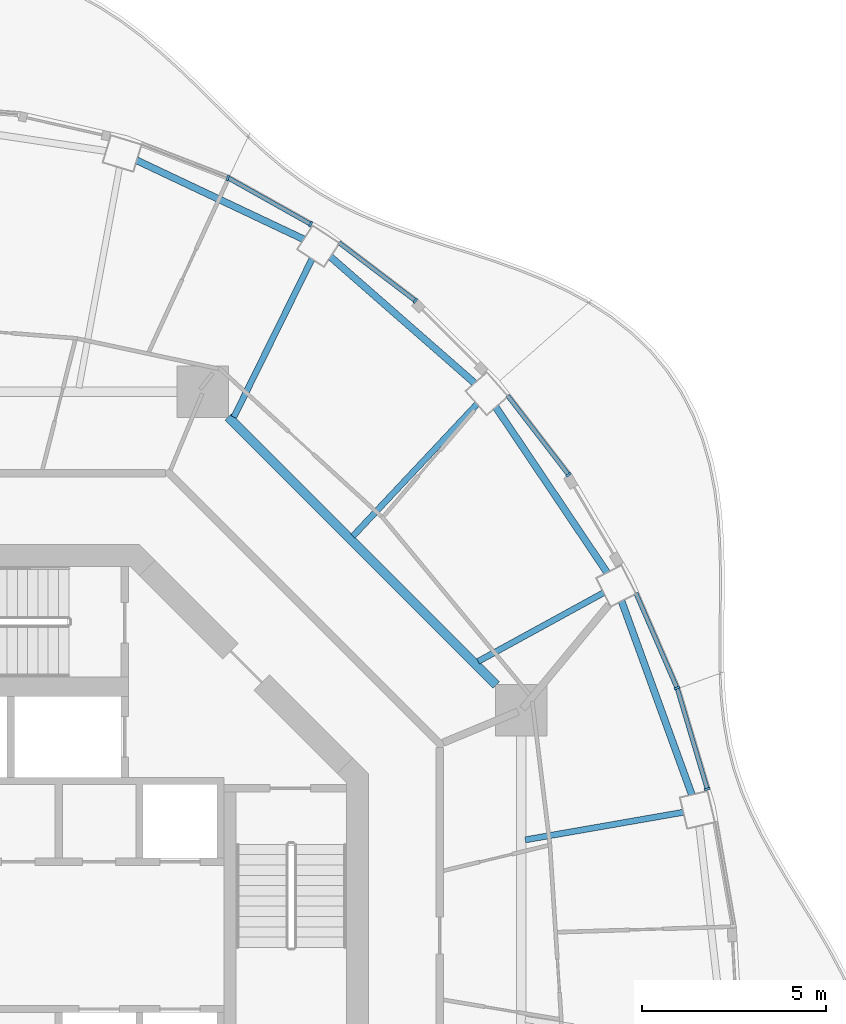
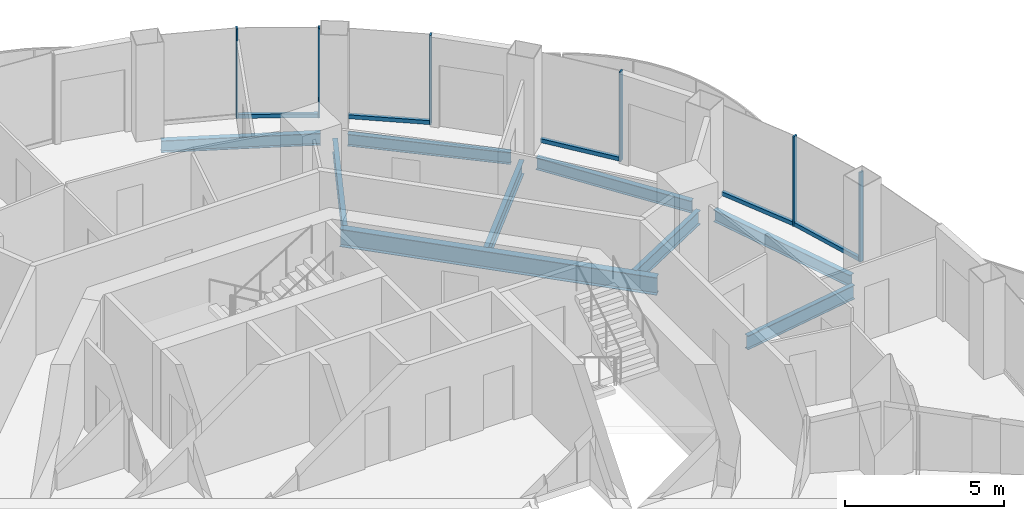
# One storey, part 7 of 17: 11 members, 9 beams, 6 elements without a shape of their own.
"""IFC4 building model written with IfcOpenShell, lengths in metres."""

from ifc_helpers import new_model, si_unit, direction, frame, origin, origin_2d, place, context, subcontext, project, spatial, rectangle, i_section, extrude, material, layer, layer_set, material_profile, profile_set, type_object, element, aggregate, save


model = new_model("IFC4")

# Units and contexts
model_context = context("Model", 3, precision=1e-05, world=origin(), true_north=direction((0.0, 1.0)))
body_context = subcontext(model_context, "Body", "Model", "MODEL_VIEW")
ifc_project = project(units=[si_unit("LENGTHUNIT", "METRE"), si_unit("AREAUNIT", "SQUARE_METRE"), si_unit("VOLUMEUNIT", "CUBIC_METRE"), si_unit("PLANEANGLEUNIT", "RADIAN"), si_unit("MASSUNIT", "GRAM", prefix="KILO")], contexts=[model_context])

# Site, building, storey
site_placement = place(None, origin())
site = spatial("IfcSite", under=ifc_project, at=site_placement, CompositionType="ELEMENT")
building_placement = place(site_placement, origin())
building = spatial("IfcBuilding", under=site, at=building_placement, Name="Nagisa Residences", CompositionType="ELEMENT")
storey_placement = place(building_placement, frame((0.0, 0.0, 273.300048828125)))
storey = spatial("IfcBuildingStorey", under=building, at=storey_placement, Name="L69", CompositionType="ELEMENT", Elevation=273.300048828125)

# Curtain wall, member
ifc_material_1 = material(Name="Concrete-coloured aluminium curtain wall system", Category="concrete")
ifc_layer = layer(ifc_material_1, 0.159912109375)
ifc_layer_set = layer_set([ifc_layer], Name="CW1 CURTAIN WALL")
curtain_wall_type = type_object("IfcCurtainWallType", Name="CW1 CURTAIN WALL", PredefinedType="NOTDEFINED", material=ifc_layer_set)
curtain_wall_1_placement = place(storey_placement, origin())
curtain_wall_1 = element("IfcCurtainWall", 1, at=curtain_wall_1_placement, inside=storey, type_object=curtain_wall_type, Name="cw:CW1:L69:02", PredefinedType="NOTDEFINED")
ifc_material_2 = material(Name="Concrete-coloured aluminium", Category="concrete")
ifc_material_profile_1 = material_profile(ifc_material_2, rectangle(XDim=0.159912109375, YDim=0.06005859375, at=origin_2d()), Name="CW1 MULLION 160x60")
ifc_profile_set_1 = profile_set([ifc_material_profile_1], Name="Concrete-coloured aluminium")
member_type_1 = type_object("IfcMemberType", Name="CW1 MULLION 160x60", PredefinedType="MULLION", material=ifc_profile_set_1)
member_1_placement = place(storey_placement, frame((19.83544921875, 3.9814453125, 0.0), z_axis=(0.0, 0.0, 1.0), x_axis=(-0.958271310082, -0.285860274038, 0.0)))
member_1 = element("IfcMember", 2, at=member_1_placement, type_object=member_type_1, Name="CW1 mullion", PredefinedType="MULLION", context=body_context, shape_type="SweptSolid", body=[
    extrude(rectangle(XDim=0.159912109375, YDim=0.06005859375, at=origin_2d()), origin(), (0.0, 0.0, 1.0), 3.43994140625),
])

curtain_wall_2_placement = place(storey_placement, origin())
curtain_wall_2 = element("IfcCurtainWall", 3, at=curtain_wall_2_placement, inside=storey, type_object=curtain_wall_type, Name="cw:CW1:L69:03", PredefinedType="NOTDEFINED")
member_2_placement = place(storey_placement, frame((19.012939453125, 6.728271484375, 0.0), z_axis=(0.0, 0.0, 1.0), x_axis=(-0.917543276295, -0.397635934147, 0.0)))
member_2 = element("IfcMember", 4, at=member_2_placement, type_object=member_type_1, Name="CW1 mullion", PredefinedType="MULLION", context=body_context, shape_type="SweptSolid", body=[
    extrude(rectangle(XDim=0.159912109375, YDim=0.06005859375, at=origin_2d()), origin(), (0.0, 0.0, 1.0), 3.43994140625),
])

curtain_wall_3_placement = place(storey_placement, origin())
curtain_wall_3 = element("IfcCurtainWall", 5, at=curtain_wall_3_placement, inside=storey, type_object=curtain_wall_type, Name="cw:CW1:L69:05", PredefinedType="NOTDEFINED")
member_3_placement = place(storey_placement, frame((16.06396484375, 12.52685546875, 0.0), z_axis=(0.0, 0.0, 1.0), x_axis=(-0.792070340816, -0.610429828235, 0.0)))
member_3 = element("IfcMember", 6, at=member_3_placement, type_object=member_type_1, Name="CW1 mullion", PredefinedType="MULLION", context=body_context, shape_type="SweptSolid", body=[
    extrude(rectangle(XDim=0.159912109375, YDim=0.06005859375, at=origin_2d()), origin(), (0.0, 0.0, 1.0), 3.43994140625),
])

curtain_wall_4_placement = place(storey_placement, origin())
curtain_wall_4 = element("IfcCurtainWall", 7, at=curtain_wall_4_placement, inside=storey, type_object=curtain_wall_type, Name="cw:CW1:L69:07", PredefinedType="NOTDEFINED")
member_4_placement = place(storey_placement, frame((11.89794921875, 17.2578125, 0.0), z_axis=(0.0, 0.0, 1.0), x_axis=(-0.605255421737, -0.79603132756, 0.0)))
member_4 = element("IfcMember", 8, at=member_4_placement, type_object=member_type_1, Name="CW1 mullion", PredefinedType="MULLION", context=body_context, shape_type="SweptSolid", body=[
    extrude(rectangle(XDim=0.159912109375, YDim=0.06005859375, at=origin_2d()), origin(), (0.0, 0.0, 1.0), 3.43994140625),
])

curtain_wall_5_placement = place(storey_placement, origin())
curtain_wall_5 = element("IfcCurtainWall", 9, at=curtain_wall_5_placement, inside=storey, type_object=curtain_wall_type, Name="cw:CW1:L69:08", PredefinedType="NOTDEFINED")
member_5_placement = place(storey_placement, frame((9.05224609375, 19.3388671875, 0.0), z_axis=(0.0, 0.0, 1.0), x_axis=(-0.489376918501, -0.872072377523, 0.0)))
member_5 = element("IfcMember", 10, at=member_5_placement, type_object=member_type_1, Name="CW1 mullion", PredefinedType="MULLION", context=body_context, shape_type="SweptSolid", body=[
    extrude(rectangle(XDim=0.159912109375, YDim=0.06005859375, at=origin_2d()), origin(), (0.0, 0.0, 1.0), 3.43994140625),
])

curtain_wall_6_placement = place(storey_placement, origin())
curtain_wall_6 = element("IfcCurtainWall", 11, at=curtain_wall_6_placement, inside=storey, type_object=curtain_wall_type, Name="cw:CW1:L69:09", PredefinedType="NOTDEFINED")
member_6_placement = place(storey_placement, frame((6.799560546875, 20.59912109375, 0.0), z_axis=(0.0, 0.0, 1.0), x_axis=(-0.360327770268, -0.932825759707, 0.0)))
member_6 = element("IfcMember", 12, at=member_6_placement, type_object=member_type_1, Name="CW1 mullion", PredefinedType="MULLION", context=body_context, shape_type="SweptSolid", body=[
    extrude(rectangle(XDim=0.159912109375, YDim=0.06005859375, at=origin_2d()), origin(), (0.0, 0.0, 1.0), 3.43994140625),
])
aggregate(curtain_wall_6, [member_6])

# Member
ifc_material_3 = material(Name="Concrete-coloured aluminium", Category="concrete")
ifc_material_profile_2 = material_profile(ifc_material_3, rectangle(XDim=0.1201171875, YDim=0.14990234375, at=origin_2d()), Name="CW1 TRANSOM 120x150")
ifc_profile_set_2 = profile_set([ifc_material_profile_2], Name="Concrete-coloured aluminium")
member_type_2 = type_object("IfcMemberType", Name="CW1 TRANSOM 120x150", PredefinedType="USERDEFINED", material=ifc_profile_set_2)
member_7_placement = place(storey_placement, frame((19.843994140625, 3.95263671875, 0.074951171875), z_axis=(-0.285876209024, 0.9582665564, 0.0), x_axis=(-0.9582665564, -0.285876209024, 0.0)))
member_7 = element("IfcMember", 13, at=member_7_placement, type_object=member_type_2, Name="CW1 transom", ObjectType="TRANSOM", PredefinedType="USERDEFINED", context=body_context, shape_type="SweptSolid", body=[
    extrude(rectangle(XDim=0.1201171875, YDim=0.14990234375, at=origin_2d()), origin(), (0.0, 0.0, 1.0), 2.877197265625),
])

aggregate(curtain_wall_1, [member_1, member_7])

member_8_placement = place(storey_placement, frame((19.024658203125, 6.70068359375, 0.074951171875), z_axis=(-0.397597791596, 0.9175598052, 0.0), x_axis=(-0.9175598052, -0.397597791596, 0.0)))
member_8 = element("IfcMember", 14, at=member_8_placement, type_object=member_type_2, Name="CW1 transom", ObjectType="TRANSOM", PredefinedType="USERDEFINED", context=body_context, shape_type="SweptSolid", body=[
    extrude(rectangle(XDim=0.1201171875, YDim=0.14990234375, at=origin_2d()), origin(), (0.0, 0.0, 1.0), 2.841064453125),
])

aggregate(curtain_wall_2, [member_2, member_8])

member_9_placement = place(storey_placement, frame((16.082275390625, 12.5029296875, 0.074951171875), z_axis=(-0.610432336622, 0.792068407656, 0.0), x_axis=(-0.792068407656, -0.610432336622, 0.0)))
member_9 = element("IfcMember", 15, at=member_9_placement, type_object=member_type_2, Name="CW1 transom", ObjectType="TRANSOM", PredefinedType="USERDEFINED", context=body_context, shape_type="SweptSolid", body=[
    extrude(rectangle(XDim=0.1201171875, YDim=0.14990234375, at=origin_2d()), origin(), (0.0, 0.0, 1.0), 2.74609375),
])

aggregate(curtain_wall_3, [member_3, member_9])

member_10_placement = place(storey_placement, frame((11.921875, 17.239501953125, 0.074951171875), z_axis=(-0.796055284084, 0.605223912847, 0.0), x_axis=(-0.605223912847, -0.796055284084, 0.0)))
member_10 = element("IfcMember", 16, at=member_10_placement, type_object=member_type_2, Name="CW1 transom", ObjectType="TRANSOM", PredefinedType="USERDEFINED", context=body_context, shape_type="SweptSolid", body=[
    extrude(rectangle(XDim=0.1201171875, YDim=0.14990234375, at=origin_2d()), origin(), (0.0, 0.0, 1.0), 2.640625),
])

aggregate(curtain_wall_4, [member_4, member_10])

member_11_placement = place(storey_placement, frame((9.078369140625, 19.32421875, 0.074951171875), z_axis=(-0.872052877201, 0.489411666561, 0.0), x_axis=(-0.489411666561, -0.872052877201, 0.0)))
member_11 = element("IfcMember", 17, at=member_11_placement, type_object=member_type_2, Name="CW1 transom", ObjectType="TRANSOM", PredefinedType="USERDEFINED", context=body_context, shape_type="SweptSolid", body=[
    extrude(rectangle(XDim=0.1201171875, YDim=0.14990234375, at=origin_2d()), origin(), (0.0, 0.0, 1.0), 2.593017578125),
])

aggregate(curtain_wall_5, [member_5, member_11])

# Beams
ifc_material_4 = material(Name="Steel ASTM A572 Gr 50", Category="steel")
ifc_material_profile_3 = material_profile(ifc_material_4, i_section(OverallWidth=0.2529296875, OverallDepth=0.677978515625, WebThickness=0.01171875, FlangeThickness=0.016357421875, at=origin_2d()), Name="W690x125")
ifc_profile_set_3 = profile_set([ifc_material_profile_3], Name="Steel ASTM A572 Gr 50")
beam_type_1 = type_object("IfcBeamType", Name="Inner ring beam W690x125", PredefinedType="BEAM", material=ifc_profile_set_3)
beam_1_placement = place(storey_placement, frame((14.09619140625, 6.808837890625, -0.59912109375), z_axis=(-0.707106781187, 0.707106781187, 0.0), x_axis=(-0.707106781187, -0.707106781187, 0.0)))
element("IfcBeam", 18, at=beam_1_placement, inside=storey, type_object=beam_type_1, Name="beam:L69:ib1", PredefinedType="BEAM", context=body_context, shape_type="SweptSolid", body=[
    extrude(i_section(OverallWidth=0.2529296875, OverallDepth=0.677978515625, WebThickness=0.01171875, FlangeThickness=0.016357421875, at=origin_2d()), origin(), (0.0, 0.0, 1.0), 10.305908203125),
])
ifc_material_5 = material(Name="Steel ASTM A572 Gr 50", Category="steel")
ifc_material_profile_4 = material_profile(ifc_material_5, i_section(OverallWidth=0.18994140625, OverallDepth=0.45703125, WebThickness=0.009033203125, FlangeThickness=0.014404296875, at=origin_2d()), Name="W460x74")
ifc_profile_set_4 = profile_set([ifc_material_profile_4], Name="Steel ASTM A572 Gr 50")
beam_type_2 = type_object("IfcBeamType", Name="Perimeter ring beam W460x74", PredefinedType="BEAM", material=ifc_profile_set_4)
beam_2_placement = place(storey_placement, frame((19.41845703125, 3.822021484375, -0.488525390625), z_axis=(-0.341211850477, 0.93998642176, 0.0), x_axis=(-0.93998642176, -0.341211850477, 0.0)))
element("IfcBeam", 19, at=beam_2_placement, inside=storey, type_object=beam_type_2, Name="beam:L69:pb02", PredefinedType="BEAM", context=body_context, shape_type="SweptSolid", body=[
    extrude(i_section(OverallWidth=0.18994140625, OverallDepth=0.45703125, WebThickness=0.009033203125, FlangeThickness=0.014404296875, at=origin_2d()), origin(), (0.0, 0.0, 1.0), 5.609619140625),
])
beam_3_placement = place(storey_placement, frame((17.11474609375, 9.862060546875, -0.488525390625), z_axis=(-0.558066424866, 0.829796279479, 0.0), x_axis=(-0.829796279479, -0.558066424866, 0.0)))
element("IfcBeam", 20, at=beam_3_placement, inside=storey, type_object=beam_type_2, Name="beam:L69:pb03", PredefinedType="BEAM", context=body_context, shape_type="SweptSolid", body=[
    extrude(i_section(OverallWidth=0.18994140625, OverallDepth=0.45703125, WebThickness=0.009033203125, FlangeThickness=0.014404296875, at=origin_2d()), origin(), (0.0, 0.0, 1.0), 5.43212890625),
])
beam_4_placement = place(storey_placement, frame((13.514892578125, 15.015380859375, -0.488525390625), z_axis=(-0.752385480596, 0.658723074279, 0.0), x_axis=(-0.658723074279, -0.752385480596, 0.0)))
element("IfcBeam", 21, at=beam_4_placement, inside=storey, type_object=beam_type_2, Name="beam:L69:pb04", PredefinedType="BEAM", context=body_context, shape_type="SweptSolid", body=[
    extrude(i_section(OverallWidth=0.18994140625, OverallDepth=0.45703125, WebThickness=0.009033203125, FlangeThickness=0.014404296875, at=origin_2d()), origin(), (0.0, 0.0, 1.0), 5.220947265625),
])
beam_5_placement = place(storey_placement, frame((8.8671875, 18.926513671875, -0.488525390625), z_axis=(-0.904115893837, 0.427287316113, 0.0), x_axis=(-0.427287316113, -0.904115893837, 0.0)))
element("IfcBeam", 22, at=beam_5_placement, inside=storey, type_object=beam_type_2, Name="beam:L69:pb05", PredefinedType="BEAM", context=body_context, shape_type="SweptSolid", body=[
    extrude(i_section(OverallWidth=0.18994140625, OverallDepth=0.45703125, WebThickness=0.009033203125, FlangeThickness=0.014404296875, at=origin_2d()), origin(), (0.0, 0.0, 1.0), 5.031494140625),
])
ifc_material_6 = material(Name="Steel ASTM A572 Gr 50", Category="steel")
ifc_material_profile_5 = material_profile(ifc_material_6, i_section(OverallWidth=0.166015625, OverallDepth=0.534912109375, WebThickness=0.01025390625, FlangeThickness=0.0166015625, at=origin_2d()), Name="W530x85")
ifc_profile_set_5 = profile_set([ifc_material_profile_5], Name="Steel ASTM A572 Gr 50")
beam_type_3 = type_object("IfcBeamType", Name="Radial beam W530x85", PredefinedType="BEAM", material=ifc_profile_set_5)
beam_6_placement = place(storey_placement, frame((19.191162109375, 3.349365234375, -0.527587890625), z_axis=(-0.985114356534, -0.171900275017, 0.0), x_axis=(0.171900275017, -0.985114356534, 0.0)))
element("IfcBeam", 23, at=beam_6_placement, inside=storey, type_object=beam_type_3, Name="beam:L69:rb02", PredefinedType="BEAM", context=body_context, shape_type="SweptSolid", body=[
    extrude(i_section(OverallWidth=0.166015625, OverallDepth=0.534912109375, WebThickness=0.01025390625, FlangeThickness=0.0166015625, at=origin_2d()), origin(), (0.0, 0.0, 1.0), 4.3671875),
])
beam_7_placement = place(storey_placement, frame((17.02294921875, 9.31982421875, -0.527587890625), z_axis=(-0.877142169669, -0.480230792628, 0.0), x_axis=(0.480230792628, -0.877142169669, 0.0)))
element("IfcBeam", 24, at=beam_7_placement, inside=storey, type_object=beam_type_3, Name="beam:L69:rb03", PredefinedType="BEAM", context=body_context, shape_type="SweptSolid", body=[
    extrude(i_section(OverallWidth=0.166015625, OverallDepth=0.534912109375, WebThickness=0.01025390625, FlangeThickness=0.0166015625, at=origin_2d()), origin(), (0.0, 0.0, 1.0), 3.894287109375),
])
beam_8_placement = place(storey_placement, frame((13.579833984375, 14.451416015625, -0.527587890625), z_axis=(-0.684799688268, -0.728731354442, 0.0), x_axis=(0.728731354442, -0.684799688268, 0.0)))
element("IfcBeam", 25, at=beam_8_placement, inside=storey, type_object=beam_type_3, Name="beam:L69:rb04", PredefinedType="BEAM", context=body_context, shape_type="SweptSolid", body=[
    extrude(i_section(OverallWidth=0.166015625, OverallDepth=0.534912109375, WebThickness=0.01025390625, FlangeThickness=0.0166015625, at=origin_2d()), origin(), (0.0, 0.0, 1.0), 4.934814453125),
])
beam_9_placement = place(storey_placement, frame((9.09033203125, 18.3974609375, -0.527587890625), z_axis=(-0.442997846128, -0.896522675857, 0.0), x_axis=(0.896522675857, -0.442997846128, 0.0)))
element("IfcBeam", 26, at=beam_9_placement, inside=storey, type_object=beam_type_3, Name="beam:L69:rb05", PredefinedType="BEAM", context=body_context, shape_type="SweptSolid", body=[
    extrude(i_section(OverallWidth=0.166015625, OverallDepth=0.534912109375, WebThickness=0.01025390625, FlangeThickness=0.0166015625, at=origin_2d()), origin(), (0.0, 0.0, 1.0), 4.80078125),
])

save(model, "model.ifc")
